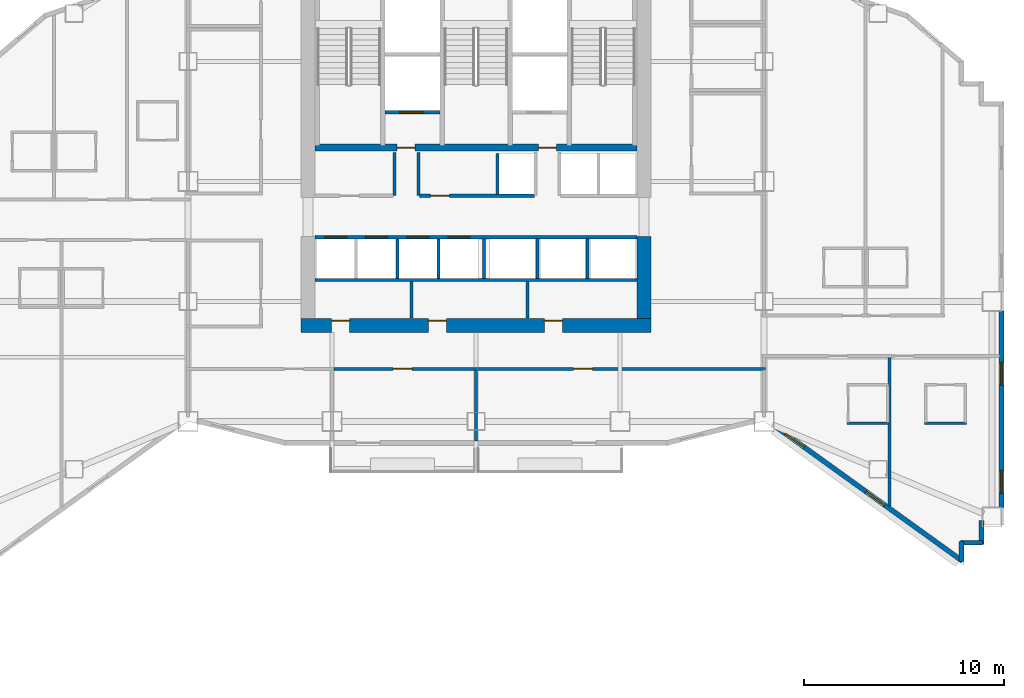
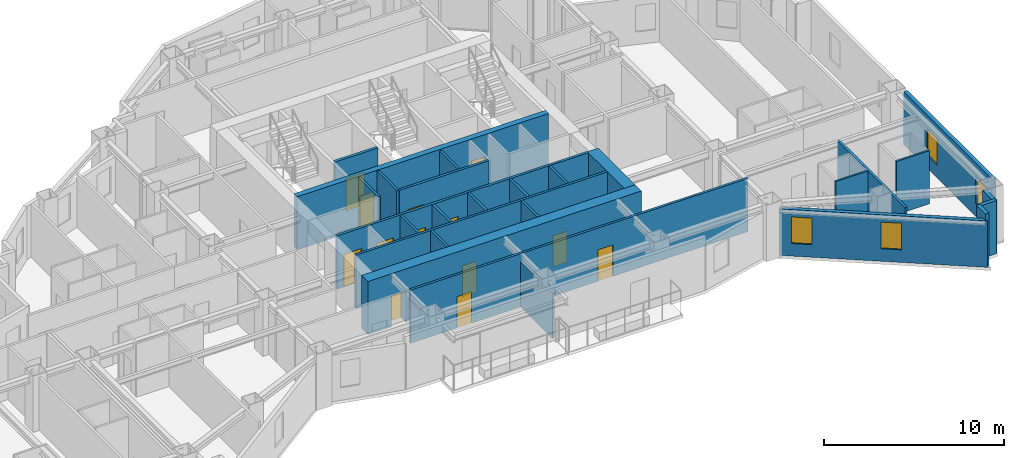
# One storey, part 9 of 14: 28 walls, 13 doors, 4 windows, 17 openings.
"""IFC4 building model written with IfcOpenShell, lengths in metres."""

from ifc_helpers import new_model, si_unit, direction, frame, frame_2d, origin, place, context, subcontext, project, spatial, rectangle, extrude, material, layer, layer_set, type_object, element, fill, save


model = new_model("IFC4")

# Units and contexts
model_context = context("Model", 3, precision=1e-05, world=origin(), true_north=direction((0.0, 1.0)))
body_context = subcontext(model_context, "Body", "Model", "MODEL_VIEW")
ifc_project = project(units=[si_unit("LENGTHUNIT", "METRE"), si_unit("AREAUNIT", "SQUARE_METRE"), si_unit("VOLUMEUNIT", "CUBIC_METRE"), si_unit("PLANEANGLEUNIT", "RADIAN"), si_unit("MASSUNIT", "GRAM", prefix="KILO")], contexts=[model_context])

# Site, building, storey
site_placement = place(None, origin())
site = spatial("IfcSite", under=ifc_project, at=site_placement, CompositionType="ELEMENT")
building_placement = place(site_placement, origin())
building = spatial("IfcBuilding", under=site, at=building_placement, Name="Haolan Belvedere Tower", CompositionType="ELEMENT")
storey_placement = place(building_placement, frame((0.0, 0.0, 144.800048828125)))
storey = spatial("IfcBuildingStorey", under=building, at=storey_placement, Name="L36", CompositionType="ELEMENT", Elevation=144.800048828125)

# Wall, openings, doors
ifc_material_1 = material(Name="Concrete C60/75", Category="concrete")
ifc_layer_1 = layer(ifc_material_1, 0.699951171875, Name="Concrete C60/75")
ifc_layer_set_1 = layer_set([ifc_layer_1], Name="Concrete C60/75")
wall_type_1 = type_object("IfcWallType", Name="WL-CORE-700", PredefinedType="SHEAR", material=ifc_layer_set_1)
wall_1_placement = place(storey_placement, frame((29.64990234375, 26.39990234375, 0.0), z_axis=(0.0, 0.0, 1.0), x_axis=(1.0, 0.0, 0.0)))
wall_1 = element("IfcWall", 1, at=wall_1_placement, inside=storey, type_object=wall_type_1, Name="L36 central core south shear wall", PredefinedType="SHEAR", context=body_context, shape_type="SweptSolid", body=[
    extrude(rectangle(XDim=17.5, YDim=0.699951171875, at=frame_2d((8.75, 0.0))), origin(), (0.0, 0.0, 1.0), 3.599853515625),
])
opening_1_placement = place(wall_1_placement, frame((2.419921875, 0.0, 0.0), z_axis=(0.0, 0.0, 1.0), x_axis=(-1.0, 0.0, 0.0)))
opening_1 = element("IfcOpeningElement", 2, at=opening_1_placement, cuts=wall_1, Name="Opening FD-05", PredefinedType="OPENING", context=body_context, shape_type="SweptSolid", body=[
    extrude(rectangle(XDim=0.89990234375, YDim=2.10009765625, at=frame_2d((0.449951171875, 1.050048828125))), frame((0.0, 0.35986328125, 0.0), z_axis=(0.0, -1.0, 0.0), x_axis=(1.0, 0.0, 0.0)), (0.0, 0.0, 1.0), 0.719970703125),
])
opening_2_placement = place(wall_1_placement, frame((7.260009765625, 0.0, 0.0), z_axis=(0.0, 0.0, 1.0), x_axis=(-1.0, 0.0, 0.0)))
opening_2 = element("IfcOpeningElement", 3, at=opening_2_placement, cuts=wall_1, Name="Opening FD-05", PredefinedType="OPENING", context=body_context, shape_type="SweptSolid", body=[
    extrude(rectangle(XDim=0.89990234375, YDim=2.10009765625, at=frame_2d((0.449951171875, 1.050048828125))), frame((0.0, 0.35986328125, 0.0), z_axis=(0.0, -1.0, 0.0), x_axis=(1.0, 0.0, 0.0)), (0.0, 0.0, 1.0), 0.719970703125),
])
opening_3_placement = place(wall_1_placement, frame((13.059814453125, 0.0, 0.0), z_axis=(0.0, 0.0, 1.0), x_axis=(-1.0, 0.0, 0.0)))
opening_3 = element("IfcOpeningElement", 4, at=opening_3_placement, cuts=wall_1, Name="Opening FD-05", PredefinedType="OPENING", context=body_context, shape_type="SweptSolid", body=[
    extrude(rectangle(XDim=0.89990234375, YDim=2.10009765625, at=frame_2d((0.449951171875, 1.050048828125))), frame((0.0, 0.35986328125, 0.0), z_axis=(0.0, -1.0, 0.0), x_axis=(1.0, 0.0, 0.0)), (0.0, 0.0, 1.0), 0.719970703125),
])
ifc_material_2 = material(Name="Galvanised fire-rated steel", Category="steel")
door_type_1 = type_object("IfcDoorType", Name="DR-FD60-900", OperationType="NOTDEFINED", PredefinedType="DOOR", material=ifc_material_2)
door_1_placement = place(opening_1_placement, origin())
door_1 = element("IfcDoor", 5, at=door_1_placement, inside=storey, type_object=door_type_1, Name="L36 door CD-L36-SCV-1", OperationType="SINGLE_SWING_LEFT", OverallHeight=2.10009765625, OverallWidth=0.89990234375, PredefinedType="DOOR", context=body_context, shape_type="SweptSolid", body=[
    extrude(rectangle(XDim=0.89990234375, YDim=2.10009765625, at=frame_2d((0.449951171875, 1.050048828125))), frame((0.0, -0.19482421875, 0.0), z_axis=(0.0, -1.0, 0.0), x_axis=(1.0, 0.0, 0.0)), (0.0, 0.0, 1.0), 0.050048828125),
])
fill(opening_1, door_1)
door_2_placement = place(opening_2_placement, origin())
door_2 = element("IfcDoor", 6, at=door_2_placement, inside=storey, type_object=door_type_1, Name="L36 door CD-L36-SCV-2", OperationType="SINGLE_SWING_RIGHT", OverallHeight=2.10009765625, OverallWidth=0.89990234375, PredefinedType="DOOR", context=body_context, shape_type="SweptSolid", body=[
    extrude(rectangle(XDim=0.89990234375, YDim=2.10009765625, at=frame_2d((0.449951171875, 1.050048828125))), frame((0.0, -0.19482421875, 0.0), z_axis=(0.0, -1.0, 0.0), x_axis=(1.0, 0.0, 0.0)), (0.0, 0.0, 1.0), 0.050048828125),
])
fill(opening_2, door_2)
door_3_placement = place(opening_3_placement, origin())
door_3 = element("IfcDoor", 7, at=door_3_placement, inside=storey, type_object=door_type_1, Name="L36 door CD-L36-SCV-3", OperationType="SINGLE_SWING_LEFT", OverallHeight=2.10009765625, OverallWidth=0.89990234375, PredefinedType="DOOR", context=body_context, shape_type="SweptSolid", body=[
    extrude(rectangle(XDim=0.89990234375, YDim=2.10009765625, at=frame_2d((0.449951171875, 1.050048828125))), frame((0.0, -0.19482421875, 0.0), z_axis=(0.0, -1.0, 0.0), x_axis=(1.0, 0.0, 0.0)), (0.0, 0.0, 1.0), 0.050048828125),
])
fill(opening_3, door_3)

# Wall
wall_2_placement = place(storey_placement, frame((46.800048828125, 26.75, 0.0), z_axis=(0.0, 0.0, 1.0), x_axis=(0.0, 1.0, 0.0)))
element("IfcWall", 8, at=wall_2_placement, inside=storey, type_object=wall_type_1, Name="L36 central core shear wall ES", PredefinedType="SHEAR", context=body_context, shape_type="SweptSolid", body=[
    extrude(rectangle(XDim=4.10009765625, YDim=0.699951171875, at=frame_2d((2.050048828125, 0.0))), origin(), (0.0, 0.0, 1.0), 3.599853515625),
])

# Wall, openings, windows
ifc_material_3 = material(Name="Precast concrete C40/50", Category="concrete")
ifc_layer_2 = layer(ifc_material_3, 0.239990234375, Name="Precast concrete C40/50")
ifc_layer_set_2 = layer_set([ifc_layer_2], Name="Precast concrete C40/50")
wall_type_2 = type_object("IfcWallType", Name="WL-EXT-240", PredefinedType="SOLIDWALL", material=ifc_layer_set_2)
wall_3_placement = place(storey_placement, frame((53.2919921875, 21.3935546875, 0.0), z_axis=(0.0, 0.0, 1.0), x_axis=(0.811543504691, -0.584291998913, 0.0)))
wall_3 = element("IfcWall", 9, at=wall_3_placement, inside=storey, type_object=wall_type_2, Name="L36 pale-metal exterior spandrel wall 9.1", PredefinedType="SOLIDWALL", context=body_context, shape_type="SweptSolid", body=[
    extrude(rectangle(XDim=11.623046875, YDim=0.239990234375, at=frame_2d((5.8115234375, 0.0))), origin(), (0.0, 0.0, 1.0), 3.14501953125),
])
opening_4_placement = place(wall_3_placement, frame((0.699951171875, 0.0, 0.85009765625)))
opening_4 = element("IfcOpeningElement", 10, at=opening_4_placement, cuts=wall_3, Name="Opening W-02", PredefinedType="OPENING", context=body_context, shape_type="SweptSolid", body=[
    extrude(rectangle(XDim=1.14990234375, YDim=1.800048828125, at=frame_2d((0.574951171875, 0.89990234375))), frame((0.0, 0.1298828125, 0.0), z_axis=(0.0, -1.0, 0.0), x_axis=(1.0, 0.0, 0.0)), (0.0, 0.0, 1.0), 0.260009765625),
])
opening_5_placement = place(wall_3_placement, frame((5.67138671875, 0.0, 0.85009765625)))
opening_5 = element("IfcOpeningElement", 11, at=opening_5_placement, cuts=wall_3, Name="Opening W-02", PredefinedType="OPENING", context=body_context, shape_type="SweptSolid", body=[
    extrude(rectangle(XDim=1.14990234375, YDim=1.800048828125, at=frame_2d((0.574951171875, 0.89990234375))), frame((0.0, 0.1298828125, 0.0), z_axis=(0.0, -1.0, 0.0), x_axis=(1.0, 0.0, 0.0)), (0.0, 0.0, 1.0), 0.260009765625),
])
ifc_material_4 = material(Name="Anodised aluminium 6063-T6 and Low-E glass", Category="aluminium")
window_type = type_object("IfcWindowType", Name="WN-DECO-Z2", PartitioningType="SINGLE_PANEL", PredefinedType="WINDOW", material=ifc_material_4)
window_1_placement = place(opening_4_placement, origin())
window_1 = element("IfcWindow", 12, at=window_1_placement, inside=storey, type_object=window_type, Name="L36 Art Deco chevron window 1", OverallHeight=1.800048828125, OverallWidth=1.14990234375, PartitioningType="SINGLE_PANEL", PredefinedType="WINDOW", context=body_context, shape_type="SweptSolid", body=[
    extrude(rectangle(XDim=1.14990234375, YDim=1.800048828125, at=frame_2d((0.574951171875, 0.89990234375))), frame((0.0, 0.030029296875, 0.0), z_axis=(0.0, -1.0, 0.0), x_axis=(1.0, 0.0, 0.0)), (0.0, 0.0, 1.0), 0.06005859375),
])
fill(opening_4, window_1)
window_2_placement = place(opening_5_placement, origin())
window_2 = element("IfcWindow", 13, at=window_2_placement, inside=storey, type_object=window_type, Name="L36 Art Deco chevron window 2", OverallHeight=1.800048828125, OverallWidth=1.14990234375, PartitioningType="SINGLE_PANEL", PredefinedType="WINDOW", context=body_context, shape_type="SweptSolid", body=[
    extrude(rectangle(XDim=1.14990234375, YDim=1.800048828125, at=frame_2d((0.574951171875, 0.89990234375))), frame((0.0, 0.030029296875, 0.0), z_axis=(0.0, -1.0, 0.0), x_axis=(1.0, 0.0, 0.0)), (0.0, 0.0, 1.0), 0.06005859375),
])
fill(opening_5, window_2)

# Walls
wall_4_placement = place(storey_placement, frame((62.679931640625, 14.579345703125, 0.0), z_axis=(0.0, 0.0, 1.0), x_axis=(0.0, 1.0, 0.0)))
element("IfcWall", 14, at=wall_4_placement, inside=storey, type_object=wall_type_2, Name="L36 pale-metal exterior spandrel wall 10.1", PredefinedType="SOLIDWALL", context=body_context, shape_type="SweptSolid", body=[
    extrude(rectangle(XDim=0.99560546875, YDim=0.239990234375, at=frame_2d((0.497802734375, 0.0))), origin(), (0.0, 0.0, 1.0), 3.599853515625),
])
wall_5_placement = place(storey_placement, frame((62.625, 15.52001953125, 0.0), z_axis=(0.0, 0.0, 1.0), x_axis=(1.0, 0.0, 0.0)))
element("IfcWall", 15, at=wall_5_placement, inside=storey, type_object=wall_type_2, Name="L36 pale-metal exterior spandrel wall 11.1", PredefinedType="SOLIDWALL", context=body_context, shape_type="SweptSolid", body=[
    extrude(rectangle(XDim=1.110107421875, YDim=0.239990234375, at=frame_2d((0.55517578125, 0.0))), origin(), (0.0, 0.0, 1.0), 3.599853515625),
])
wall_6_placement = place(storey_placement, frame((63.679931640625, 15.465087890625, 0.0), z_axis=(0.0, 0.0, 1.0), x_axis=(0.0, 1.0, 0.0)))
element("IfcWall", 16, at=wall_6_placement, inside=storey, type_object=wall_type_2, Name="L36 pale-metal exterior spandrel wall 12.1", PredefinedType="SOLIDWALL", context=body_context, shape_type="SweptSolid", body=[
    extrude(rectangle(XDim=1.1748046875, YDim=0.239990234375, at=frame_2d((0.58740234375, 0.0))), origin(), (0.0, 0.0, 1.0), 3.599853515625),
])

# Wall, openings, windows
wall_7_placement = place(storey_placement, frame((64.679931640625, 17.2919921875, 0.0), z_axis=(0.0, 0.0, 1.0), x_axis=(0.0, 1.0, 0.0)))
wall_7 = element("IfcWall", 17, at=wall_7_placement, inside=storey, type_object=wall_type_2, Name="L36 pale-metal exterior spandrel wall 14.1", PredefinedType="SOLIDWALL", context=body_context, shape_type="SweptSolid", body=[
    extrude(rectangle(XDim=9.81591796875, YDim=0.239990234375, at=frame_2d((4.907958984375, 0.0))), origin(), (0.0, 0.0, 1.0), 3.599853515625),
])
opening_6_placement = place(wall_7_placement, frame((0.699951171875, 0.0, 0.85009765625)))
opening_6 = element("IfcOpeningElement", 18, at=opening_6_placement, cuts=wall_7, Name="Opening W-02", PredefinedType="OPENING", context=body_context, shape_type="SweptSolid", body=[
    extrude(rectangle(XDim=1.14990234375, YDim=1.800048828125, at=frame_2d((0.574951171875, 0.89990234375))), frame((0.0, 0.1298828125, 0.0), z_axis=(0.0, -1.0, 0.0), x_axis=(1.0, 0.0, 0.0)), (0.0, 0.0, 1.0), 0.260009765625),
])
opening_7_placement = place(wall_7_placement, frame((6.10009765625, 0.0, 0.85009765625)))
opening_7 = element("IfcOpeningElement", 19, at=opening_7_placement, cuts=wall_7, Name="Opening W-02", PredefinedType="OPENING", context=body_context, shape_type="SweptSolid", body=[
    extrude(rectangle(XDim=1.14990234375, YDim=1.800048828125, at=frame_2d((0.574951171875, 0.89990234375))), frame((0.0, 0.1298828125, 0.0), z_axis=(0.0, -1.0, 0.0), x_axis=(1.0, 0.0, 0.0)), (0.0, 0.0, 1.0), 0.260009765625),
])
window_3_placement = place(opening_6_placement, origin())
window_3 = element("IfcWindow", 20, at=window_3_placement, inside=storey, type_object=window_type, Name="L36 Art Deco chevron window 1", OverallHeight=1.800048828125, OverallWidth=1.14990234375, PartitioningType="SINGLE_PANEL", PredefinedType="WINDOW", context=body_context, shape_type="SweptSolid", body=[
    extrude(rectangle(XDim=1.14990234375, YDim=1.800048828125, at=frame_2d((0.574951171875, 0.89990234375))), frame((0.0, 0.030029296875, 0.0), z_axis=(0.0, -1.0, 0.0), x_axis=(1.0, 0.0, 0.0)), (0.0, 0.0, 1.0), 0.06005859375),
])
fill(opening_6, window_3)
window_4_placement = place(opening_7_placement, origin())
window_4 = element("IfcWindow", 21, at=window_4_placement, inside=storey, type_object=window_type, Name="L36 Art Deco chevron window 2", OverallHeight=1.800048828125, OverallWidth=1.14990234375, PartitioningType="SINGLE_PANEL", PredefinedType="WINDOW", context=body_context, shape_type="SweptSolid", body=[
    extrude(rectangle(XDim=1.14990234375, YDim=1.800048828125, at=frame_2d((0.574951171875, 0.89990234375))), frame((0.0, 0.030029296875, 0.0), z_axis=(0.0, -1.0, 0.0), x_axis=(1.0, 0.0, 0.0)), (0.0, 0.0, 1.0), 0.06005859375),
])
fill(opening_7, window_4)

# Walls
ifc_material_5 = material(Name="Double gypsum acoustic stud partition", Category="masonry")
ifc_layer_3 = layer(ifc_material_5, 0.14990234375, Name="Double gypsum acoustic stud partition")
ifc_layer_set_3 = layer_set([ifc_layer_3], Name="Double gypsum acoustic stud partition")
wall_type_3 = type_object("IfcWallType", Name="WL-PART-150", PredefinedType="PARTITIONING", material=ifc_layer_set_3)
wall_8_placement = place(storey_placement, frame((30.35009765625, 28.659912109375, 0.0), z_axis=(0.0, 0.0, 1.0), x_axis=(1.0, 0.0, 0.0)))
element("IfcWall", 22, at=wall_8_placement, inside=storey, type_object=wall_type_3, Name="L36 interior partition IW-L36-SSTRIP-N", PredefinedType="PARTITIONING", context=body_context, shape_type="SweptSolid", body=[
    extrude(rectangle(XDim=16.099853515625, YDim=0.14990234375, at=frame_2d((8.0498046875, 0.0))), origin(), (0.0, 0.0, 1.0), 3.599853515625),
])
for number, where, z_axis, x_axis, name in (
    (23, (35.179931640625, 26.760009765625, 0.0), (0.0, 0.0, 1.0), (0.0, 1.0, 0.0), "L36 interior partition IW-L36-SCV-DIV-1"),
    (24, (40.97998046875, 26.760009765625, 0.0), (0.0, 0.0, 1.0), (0.0, 1.0, 0.0), "L36 interior partition IW-L36-SCV-DIV-2"),
):
    element("IfcWall", number, at=place(storey_placement, frame(where, z_axis=z_axis, x_axis=x_axis)), inside=storey, type_object=wall_type_3, Name=name, PredefinedType="PARTITIONING", context=body_context, shape_type="SweptSolid", body=[
        extrude(rectangle(XDim=1.820068359375, YDim=0.14990234375, at=frame_2d((0.91015625, 0.0))), origin(), (0.0, 0.0, 1.0), 3.599853515625),
    ])

# Wall, opening, door
wall_9_placement = place(storey_placement, frame((31.281982421875, 24.219970703125, 0.0), z_axis=(0.0, 0.0, 1.0), x_axis=(1.0, 0.0, 0.0)))
wall_9 = element("IfcWall", 25, at=wall_9_placement, inside=storey, type_object=wall_type_3, Name="L36 interior partition IW-L36-KS2-N", PredefinedType="PARTITIONING", context=body_context, shape_type="SweptSolid", body=[
    extrude(rectangle(XDim=7.197998046875, YDim=0.14990234375, at=frame_2d((3.59912109375, 0.0))), origin(), (0.0, 0.0, 1.0), 3.599853515625),
])
opening_8_placement = place(wall_9_placement, frame((3.912841796875, 0.0, 0.0), z_axis=(0.0, 0.0, 1.0), x_axis=(-1.0, 0.0, 0.0)))
opening_8 = element("IfcOpeningElement", 26, at=opening_8_placement, cuts=wall_9, Name="Opening ID-03", PredefinedType="OPENING", context=body_context, shape_type="SweptSolid", body=[
    extrude(rectangle(XDim=0.949951171875, YDim=2.1201171875, at=frame_2d((0.47509765625, 1.06005859375))), frame((0.0, 0.0849609375, 0.0), z_axis=(0.0, -1.0, 0.0), x_axis=(1.0, 0.0, 0.0)), (0.0, 0.0, 1.0), 0.169921875),
])
ifc_material_6 = material(Name="Painted solid-core timber", Category="wood")
door_type_2 = type_object("IfcDoorType", Name="DR-INT-950", OperationType="NOTDEFINED", PredefinedType="DOOR", material=ifc_material_6)
door_4_placement = place(opening_8_placement, origin())
door_4 = element("IfcDoor", 27, at=door_4_placement, inside=storey, type_object=door_type_2, Name="L36 door ID-L36-KS2", OperationType="SINGLE_SWING_LEFT", OverallHeight=2.1201171875, OverallWidth=0.949951171875, PredefinedType="DOOR", context=body_context, shape_type="SweptSolid", body=[
    extrude(rectangle(XDim=0.949951171875, YDim=2.1201171875, at=frame_2d((0.47509765625, 1.06005859375))), frame((0.0, 0.02490234375, 0.0), z_axis=(0.0, -1.0, 0.0), x_axis=(1.0, 0.0, 0.0)), (0.0, 0.0, 1.0), 0.050048828125),
])
fill(opening_8, door_4)

# Wall
wall_10_placement = place(storey_placement, frame((38.39990234375, 20.625, 0.0), z_axis=(0.0, 0.0, 1.0), x_axis=(0.0, 1.0, 0.0)))
element("IfcWall", 28, at=wall_10_placement, inside=storey, type_object=wall_type_3, Name="L36 interior partition IW-L36-KS2-E", PredefinedType="PARTITIONING", context=body_context, shape_type="SweptSolid", body=[
    extrude(rectangle(XDim=3.534912109375, YDim=0.14990234375, at=frame_2d((1.767578125, 0.0))), origin(), (0.0, 0.0, 1.0), 3.0849609375),
])

# Wall, opening, door
wall_11_placement = place(storey_placement, frame((38.48193359375, 24.219970703125, 0.0), z_axis=(0.0, 0.0, 1.0), x_axis=(1.0, 0.0, 0.0)))
wall_11 = element("IfcWall", 29, at=wall_11_placement, inside=storey, type_object=wall_type_3, Name="L36 interior partition IW-L36-KS3-N", PredefinedType="PARTITIONING", context=body_context, shape_type="SweptSolid", body=[
    extrude(rectangle(XDim=14.39794921875, YDim=0.14990234375, at=frame_2d((7.198974609375, 0.0))), origin(), (0.0, 0.0, 1.0), 3.599853515625),
])
opening_9_placement = place(wall_11_placement, frame((5.742919921875, 0.0, 0.0), z_axis=(0.0, 0.0, 1.0), x_axis=(-1.0, 0.0, 0.0)))
opening_9 = element("IfcOpeningElement", 30, at=opening_9_placement, cuts=wall_11, Name="Opening ID-03", PredefinedType="OPENING", context=body_context, shape_type="SweptSolid", body=[
    extrude(rectangle(XDim=0.949951171875, YDim=2.1201171875, at=frame_2d((0.47509765625, 1.06005859375))), frame((0.0, 0.0849609375, 0.0), z_axis=(0.0, -1.0, 0.0), x_axis=(1.0, 0.0, 0.0)), (0.0, 0.0, 1.0), 0.169921875),
])
door_5_placement = place(opening_9_placement, origin())
door_5 = element("IfcDoor", 31, at=door_5_placement, inside=storey, type_object=door_type_2, Name="L36 door ID-L36-KS3", OperationType="SINGLE_SWING_RIGHT", OverallHeight=2.1201171875, OverallWidth=0.949951171875, PredefinedType="DOOR", context=body_context, shape_type="SweptSolid", body=[
    extrude(rectangle(XDim=0.949951171875, YDim=2.1201171875, at=frame_2d((0.47509765625, 1.06005859375))), frame((0.0, 0.02490234375, 0.0), z_axis=(0.0, -1.0, 0.0), x_axis=(1.0, 0.0, 0.0)), (0.0, 0.0, 1.0), 0.050048828125),
])
fill(opening_9, door_5)

# Walls
wall_12_placement = place(storey_placement, frame((59.080078125, 17.355712890625, 0.0), z_axis=(0.0, 0.0, 1.0), x_axis=(0.0, 1.0, 0.0)))
element("IfcWall", 32, at=wall_12_placement, inside=storey, type_object=wall_type_3, Name="L36 interior partition IW-L36-T4S1-E", PredefinedType="PARTITIONING", context=body_context, shape_type="SweptSolid", body=[
    extrude(rectangle(XDim=7.454345703125, YDim=0.14990234375, at=frame_2d((3.72705078125, 0.0))), origin(), (0.0, 0.0, 1.0), 3.599853515625),
])
ifc_material_7 = material(Name="Gypsum fire shaftwall assembly", Category="masonry")
ifc_layer_4 = layer(ifc_material_7, 0.1650390625, Name="Gypsum fire shaftwall assembly")
ifc_layer_set_4 = layer_set([ifc_layer_4], Name="Gypsum fire shaftwall assembly")
wall_type_4 = type_object("IfcWallType", Name="WL-SHAFT-160", PredefinedType="SOLIDWALL", material=ifc_layer_set_4)
for number, where, z_axis, x_axis, name in (
    (33, (34.31005859375, 32.8798828125, 0.0), (0.0, 0.0, 1.0), (0.0, 1.0, 0.0), "L36 interior partition IW-L36-SVP-W-SV1"),
    (34, (35.510009765625, 32.8798828125, 0.0), (0.0, 0.0, 1.0), (0.0, 1.0, 0.0), "L36 interior partition IW-L36-SVP-E-SV1"),
):
    element("IfcWall", number, at=place(storey_placement, frame(where, z_axis=z_axis, x_axis=x_axis)), inside=storey, type_object=wall_type_4, Name=name, PredefinedType="SOLIDWALL", context=body_context, shape_type="SweptSolid", body=[
        extrude(rectangle(XDim=2.170166015625, YDim=0.14990234375, at=frame_2d((1.0849609375, 0.0))), origin(), (0.0, 0.0, 1.0), 3.599853515625),
    ])

# Wall, opening, door
wall_13_placement = place(storey_placement, frame((35.570068359375, 32.8798828125, 0.0), z_axis=(0.0, 0.0, 1.0), x_axis=(1.0, 0.0, 0.0)))
wall_13 = element("IfcWall", 35, at=wall_13_placement, inside=storey, type_object=wall_type_4, Name="L36 interior partition IW-L36-ROW-PN2", PredefinedType="SOLIDWALL", context=body_context, shape_type="SweptSolid", body=[
    extrude(rectangle(XDim=5.739990234375, YDim=0.159912109375, at=frame_2d((2.8701171875, 0.0))), origin(), (0.0, 0.0, 1.0), 3.599853515625),
])
opening_10_placement = place(wall_13_placement, frame((1.489990234375, 0.0, 0.0), z_axis=(0.0, 0.0, 1.0), x_axis=(-1.0, 0.0, 0.0)))
opening_10 = element("IfcOpeningElement", 36, at=opening_10_placement, cuts=wall_13, Name="Opening ID-03", PredefinedType="OPENING", context=body_context, shape_type="SweptSolid", body=[
    extrude(rectangle(XDim=0.949951171875, YDim=2.1201171875, at=frame_2d((0.47509765625, 1.06005859375))), frame((0.0, 0.08984375, 0.0), z_axis=(0.0, -1.0, 0.0), x_axis=(1.0, 0.0, 0.0)), (0.0, 0.0, 1.0), 0.179931640625),
])
door_6_placement = place(opening_10_placement, origin())
door_6 = element("IfcDoor", 37, at=door_6_placement, inside=storey, type_object=door_type_2, Name="L36 door ID-L36-CD-RPLE", OperationType="SINGLE_SWING_RIGHT", OverallHeight=2.1201171875, OverallWidth=0.949951171875, PredefinedType="DOOR", context=body_context, shape_type="SweptSolid", body=[
    extrude(rectangle(XDim=0.949951171875, YDim=2.1201171875, at=frame_2d((0.47509765625, 1.06005859375))), frame((0.0, 0.02490234375, 0.0), z_axis=(0.0, -1.0, 0.0), x_axis=(1.0, 0.0, 0.0)), (0.0, 0.0, 1.0), 0.050048828125),
])
fill(opening_10, door_6)

# Wall
wall_14_placement = place(storey_placement, frame((39.469970703125, 32.949951171875, 0.0), z_axis=(0.0, 0.0, 1.0), x_axis=(0.0, 1.0, 0.0)))
element("IfcWall", 38, at=wall_14_placement, inside=storey, type_object=wall_type_4, Name="L36 interior partition IW-L36-DIV-PL4R", PredefinedType="SOLIDWALL", context=body_context, shape_type="SweptSolid", body=[
    extrude(rectangle(XDim=2.050048828125, YDim=0.14990234375, at=frame_2d((1.02490234375, 0.0))), origin(), (0.0, 0.0, 1.0), 3.599853515625),
])

# Wall, openings, doors
wall_15_placement = place(storey_placement, frame((30.35009765625, 30.800048828125, 0.0), z_axis=(0.0, 0.0, 1.0), x_axis=(1.0, 0.0, 0.0)))
wall_15 = element("IfcWall", 39, at=wall_15_placement, inside=storey, type_object=wall_type_4, Name="L36 interior partition IW-L36-ROW-PS", PredefinedType="SOLIDWALL", context=body_context, shape_type="SweptSolid", body=[
    extrude(rectangle(XDim=16.099853515625, YDim=0.159912109375, at=frame_2d((8.0498046875, 0.0))), origin(), (0.0, 0.0, 1.0), 3.599853515625),
])
opening_11_placement = place(wall_15_placement, frame((0.469970703125, 0.0, 0.0)))
opening_11 = element("IfcOpeningElement", 40, at=opening_11_placement, cuts=wall_15, Name="Opening LD-01", PredefinedType="OPENING", context=body_context, shape_type="SweptSolid", body=[
    extrude(rectangle(XDim=1.10009765625, YDim=2.199951171875, at=frame_2d((0.550048828125, 1.10009765625))), frame((0.0, 0.08984375, 0.0), z_axis=(0.0, -1.0, 0.0), x_axis=(1.0, 0.0, 0.0)), (0.0, 0.0, 1.0), 0.179931640625),
])
opening_12_placement = place(wall_15_placement, frame((2.530029296875, 0.0, 0.0)))
opening_12 = element("IfcOpeningElement", 41, at=opening_12_placement, cuts=wall_15, Name="Opening LD-01", PredefinedType="OPENING", context=body_context, shape_type="SweptSolid", body=[
    extrude(rectangle(XDim=1.10009765625, YDim=2.199951171875, at=frame_2d((0.550048828125, 1.10009765625))), frame((0.0, 0.08984375, 0.0), z_axis=(0.0, -1.0, 0.0), x_axis=(1.0, 0.0, 0.0)), (0.0, 0.0, 1.0), 0.179931640625),
])
opening_13_placement = place(wall_15_placement, frame((4.590087890625, 0.0, 0.0)))
opening_13 = element("IfcOpeningElement", 42, at=opening_13_placement, cuts=wall_15, Name="Opening LD-01", PredefinedType="OPENING", context=body_context, shape_type="SweptSolid", body=[
    extrude(rectangle(XDim=1.10009765625, YDim=2.199951171875, at=frame_2d((0.550048828125, 1.10009765625))), frame((0.0, 0.08984375, 0.0), z_axis=(0.0, -1.0, 0.0), x_axis=(1.0, 0.0, 0.0)), (0.0, 0.0, 1.0), 0.179931640625),
])
opening_14_placement = place(wall_15_placement, frame((6.64990234375, 0.0, 0.0)))
opening_14 = element("IfcOpeningElement", 43, at=opening_14_placement, cuts=wall_15, Name="Opening LD-01", PredefinedType="OPENING", context=body_context, shape_type="SweptSolid", body=[
    extrude(rectangle(XDim=1.10009765625, YDim=2.199951171875, at=frame_2d((0.550048828125, 1.10009765625))), frame((0.0, 0.08984375, 0.0), z_axis=(0.0, -1.0, 0.0), x_axis=(1.0, 0.0, 0.0)), (0.0, 0.0, 1.0), 0.179931640625),
])
ifc_material_8 = material(Name="Brushed champagne stainless steel 316L", Category="steel")
door_type_3 = type_object("IfcDoorType", Name="DR-LIFT-1100", OperationType="SLIDING_TO_LEFT", PredefinedType="DOOR", material=ifc_material_8)
door_7_placement = place(opening_11_placement, origin())
door_7 = element("IfcDoor", 44, at=door_7_placement, inside=storey, type_object=door_type_3, Name="L36 door ID-L36-LD-PM1", OperationType="SLIDING_TO_LEFT", OverallHeight=2.199951171875, OverallWidth=1.10009765625, PredefinedType="DOOR", context=body_context, shape_type="SweptSolid", body=[
    extrude(rectangle(XDim=1.10009765625, YDim=2.199951171875, at=frame_2d((0.550048828125, 1.10009765625))), frame((0.0, 0.02490234375, 0.0), z_axis=(0.0, -1.0, 0.0), x_axis=(1.0, 0.0, 0.0)), (0.0, 0.0, 1.0), 0.050048828125),
])
fill(opening_11, door_7)
door_8_placement = place(opening_12_placement, origin())
door_8 = element("IfcDoor", 45, at=door_8_placement, inside=storey, type_object=door_type_3, Name="L36 door ID-L36-LD-PM2", OperationType="SLIDING_TO_LEFT", OverallHeight=2.199951171875, OverallWidth=1.10009765625, PredefinedType="DOOR", context=body_context, shape_type="SweptSolid", body=[
    extrude(rectangle(XDim=1.10009765625, YDim=2.199951171875, at=frame_2d((0.550048828125, 1.10009765625))), frame((0.0, 0.02490234375, 0.0), z_axis=(0.0, -1.0, 0.0), x_axis=(1.0, 0.0, 0.0)), (0.0, 0.0, 1.0), 0.050048828125),
])
fill(opening_12, door_8)
door_9_placement = place(opening_13_placement, origin())
door_9 = element("IfcDoor", 46, at=door_9_placement, inside=storey, type_object=door_type_3, Name="L36 door ID-L36-LD-PM3", OperationType="SLIDING_TO_LEFT", OverallHeight=2.199951171875, OverallWidth=1.10009765625, PredefinedType="DOOR", context=body_context, shape_type="SweptSolid", body=[
    extrude(rectangle(XDim=1.10009765625, YDim=2.199951171875, at=frame_2d((0.550048828125, 1.10009765625))), frame((0.0, 0.02490234375, 0.0), z_axis=(0.0, -1.0, 0.0), x_axis=(1.0, 0.0, 0.0)), (0.0, 0.0, 1.0), 0.050048828125),
])
fill(opening_13, door_9)
door_10_placement = place(opening_14_placement, origin())
door_10 = element("IfcDoor", 47, at=door_10_placement, inside=storey, type_object=door_type_3, Name="L36 door ID-L36-LD-PM4", OperationType="SLIDING_TO_LEFT", OverallHeight=2.199951171875, OverallWidth=1.10009765625, PredefinedType="DOOR", context=body_context, shape_type="SweptSolid", body=[
    extrude(rectangle(XDim=1.10009765625, YDim=2.199951171875, at=frame_2d((0.550048828125, 1.10009765625))), frame((0.0, 0.02490234375, 0.0), z_axis=(0.0, -1.0, 0.0), x_axis=(1.0, 0.0, 0.0)), (0.0, 0.0, 1.0), 0.050048828125),
])
fill(opening_14, door_10)

# Walls
for number, where, z_axis, x_axis, name in (
    (48, (34.4599609375, 28.735107421875, 0.0), (0.0, 0.0, 1.0), (0.0, 1.0, 0.0), "L36 interior partition IW-L36-DIV-PM2"),
    (49, (36.52001953125, 28.735107421875, 0.0), (0.0, 0.0, 1.0), (0.0, 1.0, 0.0), "L36 interior partition IW-L36-DIV-PM3"),
    (50, (38.800048828125, 28.735107421875, 0.0), (0.0, 0.0, 1.0), (0.0, 1.0, 0.0), "L36 interior partition IW-L36-DIV-PM4"),
):
    element("IfcWall", number, at=place(storey_placement, frame(where, z_axis=z_axis, x_axis=x_axis)), inside=storey, type_object=wall_type_4, Name=name, PredefinedType="SOLIDWALL", context=body_context, shape_type="SweptSolid", body=[
        extrude(rectangle(XDim=1.98486328125, YDim=0.14990234375, at=frame_2d((0.992431640625, 0.0))), origin(), (0.0, 0.0, 1.0), 3.599853515625),
    ])
for number, where, z_axis, x_axis, name in (
    (51, (41.469970703125, 28.75, 0.0), (0.0, 0.0, 1.0), (0.0, 1.0, 0.0), "L36 interior partition IW-L36-DIV-OB1"),
    (52, (43.97998046875, 28.75, 0.0), (0.0, 0.0, 1.0), (0.0, 1.0, 0.0), "L36 interior partition IW-L36-DIV-OB2"),
):
    element("IfcWall", number, at=place(storey_placement, frame(where, z_axis=z_axis, x_axis=x_axis)), inside=storey, type_object=wall_type_4, Name=name, PredefinedType="SOLIDWALL", context=body_context, shape_type="SweptSolid", body=[
        extrude(rectangle(XDim=1.985107421875, YDim=0.14990234375, at=frame_2d((0.99267578125, 0.0))), origin(), (0.0, 0.0, 1.0), 3.599853515625),
    ])

# Wall, opening, door
ifc_layer_5 = layer(ifc_material_3, 0.179931640625, Name="Precast concrete C40/50")
ifc_layer_set_5 = layer_set([ifc_layer_5], Name="Precast concrete C40/50")
wall_type_5 = type_object("IfcWallType", Name="WL-SHAFT-180", PredefinedType="SOLIDWALL", material=ifc_layer_set_5)
wall_16_placement = place(storey_placement, frame((33.8349609375, 37.050048828125, 0.0), z_axis=(0.0, 0.0, 1.0), x_axis=(1.0, 0.0, 0.0)))
wall_16 = element("IfcWall", 53, at=wall_16_placement, inside=storey, type_object=wall_type_5, Name="L36 interior partition IW-L36-SV1-S", PredefinedType="SOLIDWALL", context=body_context, shape_type="SweptSolid", body=[
    extrude(rectangle(XDim=2.77001953125, YDim=0.179931640625, at=frame_2d((1.385009765625, 0.0))), origin(), (0.0, 0.0, 1.0), 3.599853515625),
])
opening_15_placement = place(wall_16_placement, frame((1.945068359375, 0.0, 0.0), z_axis=(0.0, 0.0, 1.0), x_axis=(-1.0, 0.0, 0.0)))
opening_15 = element("IfcOpeningElement", 54, at=opening_15_placement, cuts=wall_16, Name="Opening LD-02", PredefinedType="OPENING", context=body_context, shape_type="SweptSolid", body=[
    extrude(rectangle(XDim=1.199951171875, YDim=2.199951171875, at=frame_2d((0.60009765625, 1.10009765625))), frame((0.0, 0.099853515625, 0.0), z_axis=(0.0, -1.0, 0.0), x_axis=(1.0, 0.0, 0.0)), (0.0, 0.0, 1.0), 0.199951171875),
])
door_type_4 = type_object("IfcDoorType", Name="DR-LIFT-1200", OperationType="SLIDING_TO_RIGHT", PredefinedType="DOOR", material=ifc_material_8)
door_11_placement = place(opening_15_placement, origin())
door_11 = element("IfcDoor", 55, at=door_11_placement, inside=storey, type_object=door_type_4, Name="L36 door ID-L36-LD-SV1", OperationType="SLIDING_TO_RIGHT", OverallHeight=2.199951171875, OverallWidth=1.199951171875, PredefinedType="DOOR", context=body_context, shape_type="SweptSolid", body=[
    extrude(rectangle(XDim=1.199951171875, YDim=2.199951171875, at=frame_2d((0.60009765625, 1.10009765625))), frame((0.0, 0.02490234375, 0.0), z_axis=(0.0, -1.0, 0.0), x_axis=(1.0, 0.0, 0.0)), (0.0, 0.0, 1.0), 0.050048828125),
])
fill(opening_15, door_11)

# Wall, openings, doors
ifc_layer_6 = layer(ifc_material_1, 0.360107421875, Name="Concrete C60/75")
ifc_layer_set_6 = layer_set([ifc_layer_6], Name="Concrete C60/75")
wall_type_6 = type_object("IfcWallType", Name="WL-WEB-350", PredefinedType="SHEAR", material=ifc_layer_set_6)
wall_17_placement = place(storey_placement, frame((30.35009765625, 35.2900390625, 0.0), z_axis=(0.0, 0.0, 1.0), x_axis=(1.0, 0.0, 0.0)))
wall_17 = element("IfcWall", 56, at=wall_17_placement, inside=storey, type_object=wall_type_6, Name="L36 central core internal shear web", PredefinedType="SHEAR", context=body_context, shape_type="SweptSolid", body=[
    extrude(rectangle(XDim=16.099853515625, YDim=0.360107421875, at=frame_2d((8.0498046875, 0.0))), origin(), (0.0, 0.0, 1.0), 3.599853515625),
])
opening_16_placement = place(wall_17_placement, frame((5.0, 0.0, 0.0), z_axis=(0.0, 0.0, 1.0), x_axis=(-1.0, 0.0, 0.0)))
opening_16 = element("IfcOpeningElement", 57, at=opening_16_placement, cuts=wall_17, Name="Opening FD-05", PredefinedType="OPENING", context=body_context, shape_type="SweptSolid", body=[
    extrude(rectangle(XDim=0.89990234375, YDim=2.10009765625, at=frame_2d((0.449951171875, 1.050048828125))), frame((0.0, 0.18994140625, 0.0), z_axis=(0.0, -1.0, 0.0), x_axis=(1.0, 0.0, 0.0)), (0.0, 0.0, 1.0), 0.380126953125),
])
opening_17_placement = place(wall_17_placement, frame((12.059814453125, 0.0, 0.0), z_axis=(0.0, 0.0, 1.0), x_axis=(-1.0, 0.0, 0.0)))
opening_17 = element("IfcOpeningElement", 58, at=opening_17_placement, cuts=wall_17, Name="Opening FD-05", PredefinedType="OPENING", context=body_context, shape_type="SweptSolid", body=[
    extrude(rectangle(XDim=0.89990234375, YDim=2.10009765625, at=frame_2d((0.449951171875, 1.050048828125))), frame((0.0, 0.18994140625, 0.0), z_axis=(0.0, -1.0, 0.0), x_axis=(1.0, 0.0, 0.0)), (0.0, 0.0, 1.0), 0.380126953125),
])
door_12_placement = place(opening_16_placement, origin())
door_12 = element("IfcDoor", 59, at=door_12_placement, inside=storey, type_object=door_type_1, Name="L36 door CD-L36-SVL-SV1", OperationType="SINGLE_SWING_RIGHT", OverallHeight=2.10009765625, OverallWidth=0.89990234375, PredefinedType="DOOR", context=body_context, shape_type="SweptSolid", body=[
    extrude(rectangle(XDim=0.89990234375, YDim=2.10009765625, at=frame_2d((0.449951171875, 1.050048828125))), frame((0.0, 0.02490234375, 0.0), z_axis=(0.0, -1.0, 0.0), x_axis=(1.0, 0.0, 0.0)), (0.0, 0.0, 1.0), 0.050048828125),
])
fill(opening_16, door_12)
door_13_placement = place(opening_17_placement, origin())
door_13 = element("IfcDoor", 60, at=door_13_placement, inside=storey, type_object=door_type_1, Name="L36 door CD-L36-SVL-SV2", OperationType="SINGLE_SWING_RIGHT", OverallHeight=2.10009765625, OverallWidth=0.89990234375, PredefinedType="DOOR", context=body_context, shape_type="SweptSolid", body=[
    extrude(rectangle(XDim=0.89990234375, YDim=2.10009765625, at=frame_2d((0.449951171875, 1.050048828125))), frame((0.0, 0.02490234375, 0.0), z_axis=(0.0, -1.0, 0.0), x_axis=(1.0, 0.0, 0.0)), (0.0, 0.0, 1.0), 0.050048828125),
])
fill(opening_17, door_13)

# Walls
ifc_material_9 = material(Name="Moisture-resistant gypsum tile partition", Category="masonry")
ifc_layer_7 = layer(ifc_material_9, 0.1201171875, Name="Moisture-resistant gypsum tile partition")
ifc_layer_set_7 = layer_set([ifc_layer_7], Name="Moisture-resistant gypsum tile partition")
wall_type_7 = type_object("IfcWallType", Name="WL-WET-120", PredefinedType="PARTITIONING", material=ifc_layer_set_7)
wall_18_placement = place(storey_placement, frame((56.93994140625, 21.5, 0.0), z_axis=(0.0, 0.0, 1.0), x_axis=(1.0, 0.0, 0.0)))
element("IfcWall", 61, at=wall_18_placement, inside=storey, type_object=wall_type_7, Name="L36 interior partition IW-L36-T4S1-BS", PredefinedType="PARTITIONING", context=body_context, shape_type="SweptSolid", body=[
    extrude(rectangle(XDim=2.080078125, YDim=0.1201171875, at=frame_2d((1.0400390625, 0.0))), origin(), (0.0, 0.0, 1.0), 3.599853515625),
])
wall_19_placement = place(storey_placement, frame((60.824951171875, 21.5, 0.0), z_axis=(0.0, 0.0, 1.0), x_axis=(1.0, 0.0, 0.0)))
element("IfcWall", 62, at=wall_19_placement, inside=storey, type_object=wall_type_7, Name="L36 interior partition IW-L36-T4S2-BS", PredefinedType="PARTITIONING", context=body_context, shape_type="SweptSolid", body=[
    extrude(rectangle(XDim=2.10009765625, YDim=0.1201171875, at=frame_2d((1.050048828125, 0.0))), origin(), (0.0, 0.0, 1.0), 3.599853515625),
])

save(model, "model.ifc")
